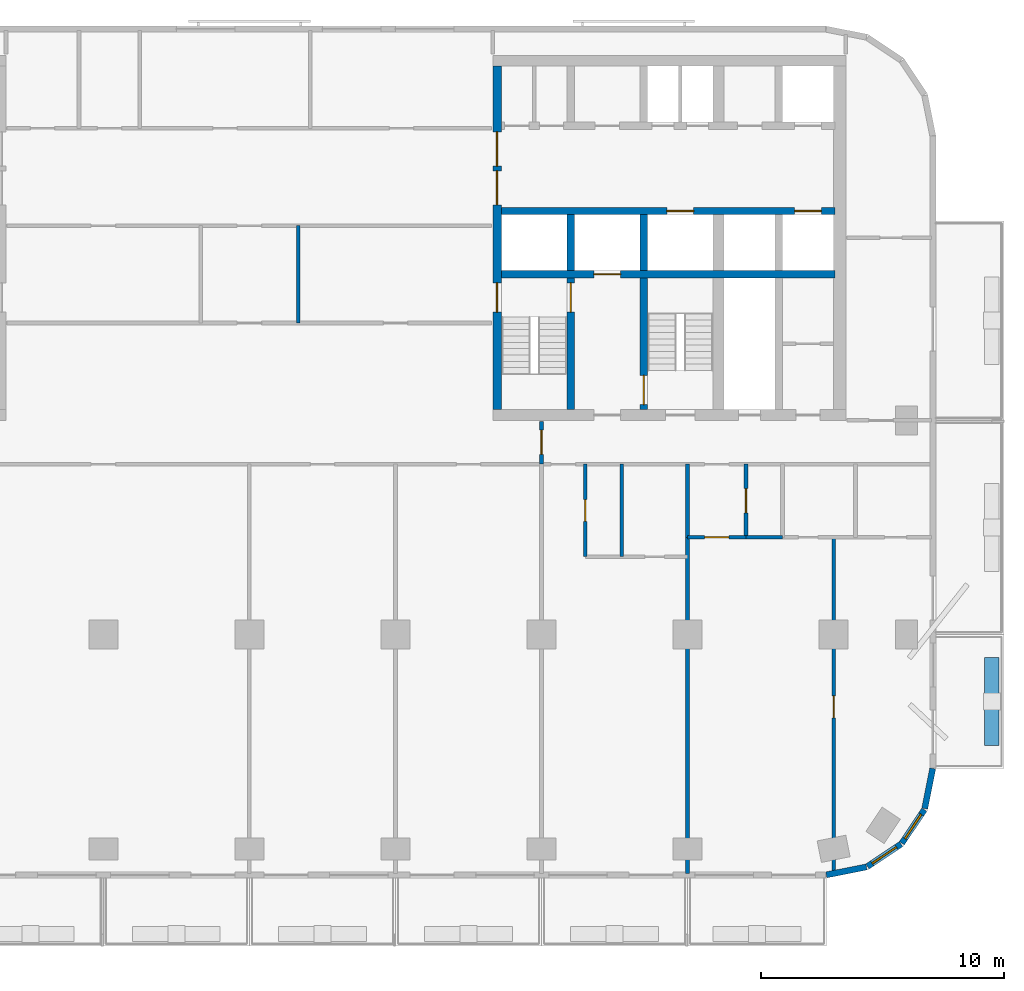
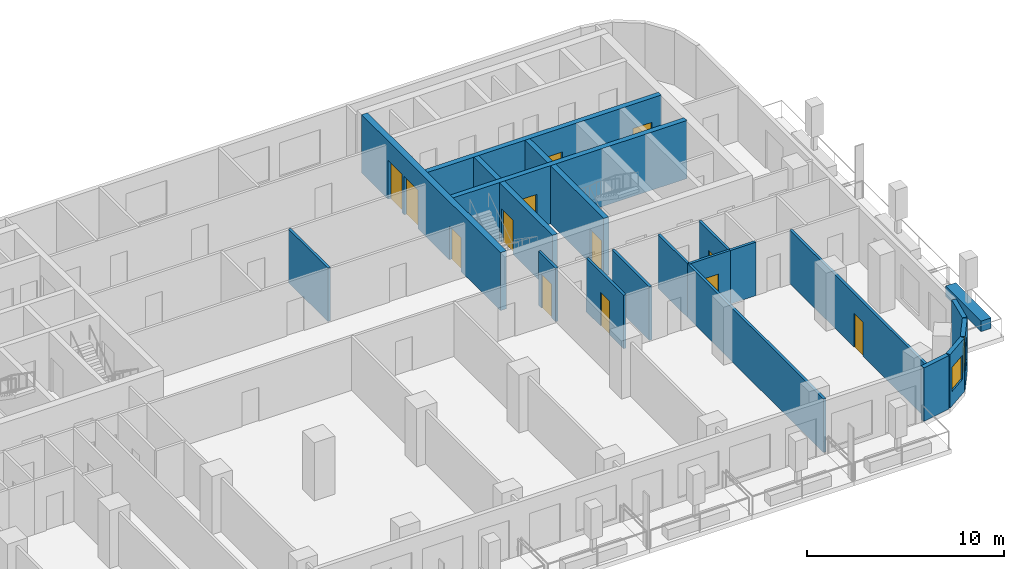
# One storey, part 5 of 12: 22 walls, 13 doors, 2 windows, 15 openings.
"""IFC4 building model written with IfcOpenShell, lengths in metres."""

from ifc_helpers import new_model, si_unit, direction, frame, frame_2d, origin, place, context, subcontext, project, spatial, rectangle, extrude, material, layer, layer_set, type_object, element, fill, save


model = new_model("IFC4")

# Units and contexts
model_context = context("Model", 3, precision=1e-05, world=origin(), true_north=direction((0.0, 1.0)))
body_context = subcontext(model_context, "Body", "Model", "MODEL_VIEW")
ifc_project = project(units=[si_unit("LENGTHUNIT", "METRE"), si_unit("AREAUNIT", "SQUARE_METRE"), si_unit("VOLUMEUNIT", "CUBIC_METRE"), si_unit("PLANEANGLEUNIT", "RADIAN"), si_unit("MASSUNIT", "GRAM", prefix="KILO")], contexts=[model_context])

# Site, building, storey
site_placement = place(None, origin())
site = spatial("IfcSite", under=ifc_project, at=site_placement, CompositionType="ELEMENT")
building_placement = place(site_placement, origin())
building = spatial("IfcBuilding", under=site, at=building_placement, Name="Torana Hotel and Residences", CompositionType="ELEMENT")
storey_placement = place(building_placement, frame((0.0, 0.0, 112.800048828125)))
storey = spatial("IfcBuildingStorey", under=building, at=storey_placement, Name="L28", CompositionType="ELEMENT", Elevation=112.800048828125)

# Wall, openings, doors
ifc_material_1 = material(Name="Concrete C70/85", Category="concrete")
ifc_layer_1 = layer(ifc_material_1, 0.300048828125)
ifc_layer_set_1 = layer_set([ifc_layer_1], Name="CORE WALL 300 C70/85")
wall_type_1 = type_object("IfcWallType", Name="CORE WALL 300 C70/85", PredefinedType="SHEAR", material=ifc_layer_set_1)
wall_1_placement = place(storey_placement, frame((10.35009765625, -6.39990234375, 0.0), z_axis=(0.0, 0.0, 1.0), x_axis=(1.0, 0.0, 0.0)))
wall_1 = element("IfcWall", 1, at=wall_1_placement, inside=storey, type_object=wall_type_1, Name="Core wall E row-S", PredefinedType="SHEAR", context=body_context, shape_type="SweptSolid", body=[
    extrude(rectangle(XDim=13.699951171875, YDim=0.300048828125, at=frame_2d((6.85009765625, 0.0))), origin(), (0.0, 0.0, 1.0), 3.599853515625),
])
opening_1_placement = place(wall_1_placement, frame((12.050048828125, 0.0, 0.0)))
opening_1 = element("IfcOpeningElement", 2, at=opening_1_placement, cuts=wall_1, Name="Opening LD", PredefinedType="OPENING", context=body_context, shape_type="SweptSolid", body=[
    extrude(rectangle(XDim=1.10009765625, YDim=2.10009765625, at=frame_2d((0.550048828125, 1.050048828125))), frame((0.0, 0.159912109375, 0.0), z_axis=(0.0, -1.0, 0.0), x_axis=(1.0, 0.0, 0.0)), (0.0, 0.0, 1.0), 0.320068359375),
])
opening_2_placement = place(wall_1_placement, frame((6.800048828125, 0.0, 0.0)))
opening_2 = element("IfcOpeningElement", 3, at=opening_2_placement, cuts=wall_1, Name="Opening LD", PredefinedType="OPENING", context=body_context, shape_type="SweptSolid", body=[
    extrude(rectangle(XDim=1.10009765625, YDim=2.10009765625, at=frame_2d((0.550048828125, 1.050048828125))), frame((0.0, 0.159912109375, 0.0), z_axis=(0.0, -1.0, 0.0), x_axis=(1.0, 0.0, 0.0)), (0.0, 0.0, 1.0), 0.320068359375),
])
ifc_material_2 = material(Name="Stainless steel 316", Category="steel")
door_type_1 = type_object("IfcDoorType", Name="LIFT LANDING DOOR LD 1100x2100", OperationType="DOUBLE_DOOR_SLIDING", PredefinedType="USERDEFINED", material=ifc_material_2)
door_1_placement = place(opening_1_placement, origin())
door_1 = element("IfcDoor", 4, at=door_1_placement, inside=storey, type_object=door_type_1, Name="Lift landing door M4 L28", ObjectType="LIFT LANDING DOOR", OperationType="DOUBLE_DOOR_SLIDING", OverallHeight=2.10009765625, OverallWidth=1.10009765625, PredefinedType="USERDEFINED", context=body_context, shape_type="SweptSolid", body=[
    extrude(rectangle(XDim=1.10009765625, YDim=2.10009765625, at=frame_2d((0.550048828125, 1.050048828125))), frame((0.0, 0.02490234375, 0.0), z_axis=(0.0, -1.0, 0.0), x_axis=(1.0, 0.0, 0.0)), (0.0, 0.0, 1.0), 0.050048828125),
])
fill(opening_1, door_1)
door_2_placement = place(opening_2_placement, origin())
door_2 = element("IfcDoor", 5, at=door_2_placement, inside=storey, type_object=door_type_1, Name="Lift landing door SV2 L28", ObjectType="LIFT LANDING DOOR", OperationType="DOUBLE_DOOR_SLIDING", OverallHeight=2.10009765625, OverallWidth=1.10009765625, PredefinedType="USERDEFINED", context=body_context, shape_type="SweptSolid", body=[
    extrude(rectangle(XDim=1.10009765625, YDim=2.10009765625, at=frame_2d((0.550048828125, 1.050048828125))), frame((0.0, 0.02490234375, 0.0), z_axis=(0.0, -1.0, 0.0), x_axis=(1.0, 0.0, 0.0)), (0.0, 0.0, 1.0), 0.050048828125),
])
fill(opening_2, door_2)

# Wall, opening, door
wall_2_placement = place(storey_placement, frame((10.35009765625, -9.0, 0.0), z_axis=(0.0, 0.0, 1.0), x_axis=(1.0, 0.0, 0.0)))
wall_2 = element("IfcWall", 6, at=wall_2_placement, inside=storey, type_object=wall_type_1, Name="Core wall E band", PredefinedType="SHEAR", context=body_context, shape_type="SweptSolid", body=[
    extrude(rectangle(XDim=13.699951171875, YDim=0.300048828125, at=frame_2d((6.85009765625, 0.0))), origin(), (0.0, 0.0, 1.0), 3.599853515625),
])
opening_3_placement = place(wall_2_placement, frame((3.800048828125, 0.0, 0.0)))
opening_3 = element("IfcOpeningElement", 7, at=opening_3_placement, cuts=wall_2, Name="Opening LD", PredefinedType="OPENING", context=body_context, shape_type="SweptSolid", body=[
    extrude(rectangle(XDim=1.10009765625, YDim=2.10009765625, at=frame_2d((0.550048828125, 1.050048828125))), frame((0.0, 0.159912109375, 0.0), z_axis=(0.0, -1.0, 0.0), x_axis=(1.0, 0.0, 0.0)), (0.0, 0.0, 1.0), 0.320068359375),
])
door_3_placement = place(opening_3_placement, origin())
door_3 = element("IfcDoor", 8, at=door_3_placement, inside=storey, type_object=door_type_1, Name="Lift landing door FF2 L28", ObjectType="LIFT LANDING DOOR", OperationType="DOUBLE_DOOR_SLIDING", OverallHeight=2.10009765625, OverallWidth=1.10009765625, PredefinedType="USERDEFINED", context=body_context, shape_type="SweptSolid", body=[
    extrude(rectangle(XDim=1.10009765625, YDim=2.10009765625, at=frame_2d((0.550048828125, 1.050048828125))), frame((0.0, 0.02490234375, 0.0), z_axis=(0.0, -1.0, 0.0), x_axis=(1.0, 0.0, 0.0)), (0.0, 0.0, 1.0), 0.050048828125),
])
fill(opening_3, door_3)

# Wall
wall_3_placement = place(storey_placement, frame((13.199951171875, -8.85009765625, 0.0), z_axis=(0.0, 0.0, 1.0), x_axis=(0.0, 1.0, 0.0)))
element("IfcWall", 9, at=wall_3_placement, inside=storey, type_object=wall_type_1, Name="Core wall E x3.05-S", PredefinedType="SHEAR", context=body_context, shape_type="SweptSolid", body=[
    extrude(rectangle(XDim=2.300048828125, YDim=0.300048828125, at=frame_2d((1.14990234375, 0.0))), origin(), (0.0, 0.0, 1.0), 3.599853515625),
])

# Wall, opening, door
wall_4_placement = place(storey_placement, frame((13.199951171875, -14.550048828125, 0.0), z_axis=(0.0, 0.0, 1.0), x_axis=(0.0, 1.0, 0.0)))
wall_4 = element("IfcWall", 10, at=wall_4_placement, inside=storey, type_object=wall_type_1, Name="Core wall E x3.05-band", PredefinedType="SHEAR", context=body_context, shape_type="SweptSolid", body=[
    extrude(rectangle(XDim=5.400146484375, YDim=0.300048828125, at=frame_2d((2.7001953125, 0.0))), origin(), (0.0, 0.0, 1.0), 3.599853515625),
])
opening_4_placement = place(wall_4_placement, frame((4.0, 0.0, 0.0)))
opening_4 = element("IfcOpeningElement", 11, at=opening_4_placement, cuts=wall_4, Name="Opening L28-29", PredefinedType="OPENING", context=body_context, shape_type="SweptSolid", body=[
    extrude(rectangle(XDim=1.199951171875, YDim=2.10009765625, at=frame_2d((0.60009765625, 1.050048828125))), frame((0.0, 0.159912109375, 0.0), z_axis=(0.0, -1.0, 0.0), x_axis=(1.0, 0.0, 0.0)), (0.0, 0.0, 1.0), 0.320068359375),
])
ifc_material_3 = material(Name="Steel S235", Category="steel")
door_type_2 = type_object("IfcDoorType", Name="STAIR FIRE DOOR D3 1200x2100", OperationType="SINGLE_SWING_LEFT", PredefinedType="DOOR", material=ifc_material_3)
door_4_placement = place(opening_4_placement, origin())
door_4 = element("IfcDoor", 12, at=door_4_placement, inside=storey, type_object=door_type_2, Name="Stair-A-lobby door L28", OperationType="SINGLE_SWING_LEFT", OverallHeight=2.10009765625, OverallWidth=1.199951171875, PredefinedType="DOOR", context=body_context, shape_type="SweptSolid", body=[
    extrude(rectangle(XDim=1.199951171875, YDim=2.10009765625, at=frame_2d((0.60009765625, 1.050048828125))), frame((0.0, 0.02490234375, 0.0), z_axis=(0.0, -1.0, 0.0), x_axis=(1.0, 0.0, 0.0)), (0.0, 0.0, 1.0), 0.050048828125),
])
fill(opening_4, door_4)

# Wall
wall_5_placement = place(storey_placement, frame((16.199951171875, -8.85009765625, 0.0), z_axis=(0.0, 0.0, 1.0), x_axis=(0.0, 1.0, 0.0)))
element("IfcWall", 13, at=wall_5_placement, inside=storey, type_object=wall_type_1, Name="Core wall E x6.05-S", PredefinedType="SHEAR", context=body_context, shape_type="SweptSolid", body=[
    extrude(rectangle(XDim=2.300048828125, YDim=0.300048828125, at=frame_2d((1.14990234375, 0.0))), origin(), (0.0, 0.0, 1.0), 3.599853515625),
])

# Wall, opening, door
wall_6_placement = place(storey_placement, frame((16.199951171875, -14.550048828125, 0.0), z_axis=(0.0, 0.0, 1.0), x_axis=(0.0, 1.0, 0.0)))
wall_6 = element("IfcWall", 14, at=wall_6_placement, inside=storey, type_object=wall_type_1, Name="Core wall E x6.05-band", PredefinedType="SHEAR", context=body_context, shape_type="SweptSolid", body=[
    extrude(rectangle(XDim=5.400146484375, YDim=0.300048828125, at=frame_2d((2.7001953125, 0.0))), origin(), (0.0, 0.0, 1.0), 3.599853515625),
])
opening_5_placement = place(wall_6_placement, frame((0.199951171875, 0.0, 0.0)))
opening_5 = element("IfcOpeningElement", 15, at=opening_5_placement, cuts=wall_6, Name="Opening L28-30", PredefinedType="OPENING", context=body_context, shape_type="SweptSolid", body=[
    extrude(rectangle(XDim=1.199951171875, YDim=2.10009765625, at=frame_2d((0.60009765625, 1.050048828125))), frame((0.0, 0.159912109375, 0.0), z_axis=(0.0, -1.0, 0.0), x_axis=(1.0, 0.0, 0.0)), (0.0, 0.0, 1.0), 0.320068359375),
])
door_5_placement = place(opening_5_placement, frame((0.60009765625, 0.0, 0.0), z_axis=(0.0, 0.0, 1.0), x_axis=(-1.0, 0.0, 0.0)))
door_5 = element("IfcDoor", 16, at=door_5_placement, inside=storey, type_object=door_type_2, Name="Stair-B-lobby door L28", OperationType="SINGLE_SWING_LEFT", OverallHeight=2.10009765625, OverallWidth=1.199951171875, PredefinedType="DOOR", context=body_context, shape_type="SweptSolid", body=[
    extrude(rectangle(XDim=1.199951171875, YDim=2.10009765625, at=frame_2d((0.0, 1.050048828125))), frame((0.0, -0.02490234375, 0.0), z_axis=(0.0, 1.0, 0.0), x_axis=(-1.0, 0.0, 0.0)), (0.0, 0.0, 1.0), 0.050048828125),
])
fill(opening_5, door_5)

# Wall, openings, doors
ifc_material_4 = material(Name="Concrete C70/85", Category="concrete")
ifc_layer_2 = layer(ifc_material_4, 0.35009765625)
ifc_layer_set_2 = layer_set([ifc_layer_2], Name="CORE WALL 350 C70/85")
wall_type_2 = type_object("IfcWallType", Name="CORE WALL 350 C70/85", PredefinedType="SHEAR", material=ifc_layer_set_2)
wall_7_placement = place(storey_placement, frame((10.175048828125, -14.550048828125, 0.0), z_axis=(0.0, 0.0, 1.0), x_axis=(0.0, 1.0, 0.0)))
wall_7 = element("IfcWall", 17, at=wall_7_placement, inside=storey, type_object=wall_type_2, Name="Core wall E arch", PredefinedType="SHEAR", context=body_context, shape_type="SweptSolid", body=[
    extrude(rectangle(XDim=14.10009765625, YDim=0.35009765625, at=frame_2d((7.050048828125, 0.0))), origin(), (0.0, 0.0, 1.0), 3.599853515625),
])
opening_6_placement = place(wall_7_placement, frame((8.39990234375, 0.0, 0.0)))
opening_6 = element("IfcOpeningElement", 18, at=opening_6_placement, cuts=wall_7, Name="Opening L28-16", PredefinedType="OPENING", context=body_context, shape_type="SweptSolid", body=[
    extrude(rectangle(XDim=1.39990234375, YDim=2.39990234375, at=frame_2d((0.699951171875, 1.199951171875))), frame((0.0, 0.18505859375, 0.0), z_axis=(0.0, -1.0, 0.0), x_axis=(1.0, 0.0, 0.0)), (0.0, 0.0, 1.0), 0.3701171875),
])
opening_7_placement = place(wall_7_placement, frame((10.0, 0.0, 0.0)))
opening_7 = element("IfcOpeningElement", 19, at=opening_7_placement, cuts=wall_7, Name="Opening L28-17", PredefinedType="OPENING", context=body_context, shape_type="SweptSolid", body=[
    extrude(rectangle(XDim=1.39990234375, YDim=2.39990234375, at=frame_2d((0.699951171875, 1.199951171875))), frame((0.0, 0.18505859375, 0.0), z_axis=(0.0, -1.0, 0.0), x_axis=(1.0, 0.0, 0.0)), (0.0, 0.0, 1.0), 0.3701171875),
])
opening_8_placement = place(wall_7_placement, frame((4.0, 0.0, 0.0)))
opening_8 = element("IfcOpeningElement", 20, at=opening_8_placement, cuts=wall_7, Name="Opening L28-18", PredefinedType="OPENING", context=body_context, shape_type="SweptSolid", body=[
    extrude(rectangle(XDim=1.199951171875, YDim=2.10009765625, at=frame_2d((0.60009765625, 1.050048828125))), frame((0.0, 0.18505859375, 0.0), z_axis=(0.0, -1.0, 0.0), x_axis=(1.0, 0.0, 0.0)), (0.0, 0.0, 1.0), 0.3701171875),
])
ifc_material_5 = material(Name="Steel S235", Category="steel")
door_type_3 = type_object("IfcDoorType", Name="LOBBY FIRE DOOR D4 1400x2400", OperationType="DOUBLE_DOOR_SINGLE_SWING", PredefinedType="DOOR", material=ifc_material_5)
door_6_placement = place(opening_6_placement, origin())
door_6 = element("IfcDoor", 21, at=door_6_placement, inside=storey, type_object=door_type_3, Name="Lobby-1 door L28", OperationType="DOUBLE_DOOR_SINGLE_SWING", OverallHeight=2.39990234375, OverallWidth=1.39990234375, PredefinedType="DOOR", context=body_context, shape_type="SweptSolid", body=[
    extrude(rectangle(XDim=1.39990234375, YDim=2.39990234375, at=frame_2d((0.699951171875, 1.199951171875))), frame((0.0, 0.02490234375, 0.0), z_axis=(0.0, -1.0, 0.0), x_axis=(1.0, 0.0, 0.0)), (0.0, 0.0, 1.0), 0.050048828125),
])
fill(opening_6, door_6)
door_7_placement = place(opening_7_placement, origin())
door_7 = element("IfcDoor", 22, at=door_7_placement, inside=storey, type_object=door_type_3, Name="Lobby-2 door L28", OperationType="DOUBLE_DOOR_SINGLE_SWING", OverallHeight=2.39990234375, OverallWidth=1.39990234375, PredefinedType="DOOR", context=body_context, shape_type="SweptSolid", body=[
    extrude(rectangle(XDim=1.39990234375, YDim=2.39990234375, at=frame_2d((0.699951171875, 1.199951171875))), frame((0.0, 0.02490234375, 0.0), z_axis=(0.0, -1.0, 0.0), x_axis=(1.0, 0.0, 0.0)), (0.0, 0.0, 1.0), 0.050048828125),
])
fill(opening_7, door_7)
door_8_placement = place(opening_8_placement, frame((0.60009765625, 0.0, 0.0), z_axis=(0.0, 0.0, 1.0), x_axis=(-1.0, 0.0, 0.0)))
door_8 = element("IfcDoor", 23, at=door_8_placement, inside=storey, type_object=door_type_2, Name="Stair-A door L28", OperationType="SINGLE_SWING_RIGHT", OverallHeight=2.10009765625, OverallWidth=1.199951171875, PredefinedType="DOOR", context=body_context, shape_type="SweptSolid", body=[
    extrude(rectangle(XDim=1.199951171875, YDim=2.10009765625, at=frame_2d((0.0, 1.050048828125))), frame((0.0, -0.02490234375, 0.0), z_axis=(0.0, 1.0, 0.0), x_axis=(-1.0, 0.0, 0.0)), (0.0, 0.0, 1.0), 0.050048828125),
])
fill(opening_8, door_8)

# Wall
ifc_material_6 = material(Name="Black aluminium composite panel", Category="aluminium")
ifc_layer_3 = layer(ifc_material_6, 0.00390625, Name="Cladding", Category="cladding")
ifc_material_7 = material(Name="Ventilated air cavity")
ifc_layer_4 = layer(ifc_material_7, 0.0400390625, Name="Ventilated cavity", Category="cavity")
ifc_material_8 = material(Name="Mineral wool insulation")
ifc_layer_5 = layer(ifc_material_8, 0.090087890625, Name="Insulation", Category="insulation")
ifc_material_9 = material(Name="Steel S280GD", Category="steel")
ifc_layer_6 = layer(ifc_material_9, 0.092041015625, Name="Steel stud frame", Category="structure")
ifc_material_10 = material(Name="Fire rated plasterboard")
ifc_layer_7 = layer(ifc_material_10, 0.011962890625, Name="Inner board", Category="finish")
ifc_layer_8 = layer(ifc_material_10, 0.011962890625, Name="Second board", Category="finish")
ifc_layer_set_3 = layer_set([ifc_layer_3, ifc_layer_4, ifc_layer_5, ifc_layer_6, ifc_layer_7, ifc_layer_8], Name="EW1 EXTERNAL WALL BLACK METAL CLAD 250")
wall_type_3 = type_object("IfcWallType", Name="EW1 EXTERNAL WALL BLACK METAL CLAD 250", PredefinedType="SOLIDWALL", material=ifc_layer_set_3)
wall_8_placement = place(storey_placement, frame((23.69970703125, -33.672607421875, 0.0), z_axis=(0.0, 0.0, 1.0), x_axis=(0.980775640221, 0.19513878023, 0.0)))
element("IfcWall", 24, at=wall_8_placement, inside=storey, type_object=wall_type_3, Name="External wall L28 e0.15", PredefinedType="SOLIDWALL", context=body_context, shape_type="SweptSolid", body=[
    extrude(rectangle(XDim=1.681396484375, YDim=0.25, at=frame_2d((0.8408203125, 0.0))), origin(), (0.0, 0.0, 1.0), 3.320068359375),
])

# Wall, opening, window
wall_9_placement = place(storey_placement, frame((25.39404296875, -33.325927734375, 0.0), z_axis=(0.0, 0.0, 1.0), x_axis=(0.831482937015, 0.55555029066, 0.0)))
wall_9 = element("IfcWall", 25, at=wall_9_placement, inside=storey, type_object=wall_type_3, Name="External wall L28 e0.16", PredefinedType="SOLIDWALL", context=body_context, shape_type="SweptSolid", body=[
    extrude(rectangle(XDim=1.65625, YDim=0.25, at=frame_2d((0.828125, 0.0))), origin(), (0.0, 0.0, 1.0), 3.320068359375),
])
opening_9_placement = place(wall_9_placement, frame((0.228271484375, 0.0, 0.89990234375)))
opening_9 = element("IfcOpeningElement", 26, at=opening_9_placement, cuts=wall_9, Name="Opening W5", PredefinedType="OPENING", context=body_context, shape_type="SweptSolid", body=[
    extrude(rectangle(XDim=1.199951171875, YDim=1.5, at=frame_2d((0.60009765625, 0.75))), frame((0.0, 0.135009765625, 0.0), z_axis=(0.0, -1.0, 0.0), x_axis=(1.0, 0.0, 0.0)), (0.0, 0.0, 1.0), 0.27001953125),
])
ifc_material_11 = material(Name="Dark glass in black aluminium frame", Category="aluminium")
window_type = type_object("IfcWindowType", Name="W5 CORNER FACET WINDOW 1200x1500", PartitioningType="SINGLE_PANEL", PredefinedType="WINDOW", material=ifc_material_11)
window_1_placement = place(opening_9_placement, origin())
window_1 = element("IfcWindow", 27, at=window_1_placement, inside=storey, type_object=window_type, Name="Window L28 e0.16", OverallHeight=1.5, OverallWidth=1.199951171875, PartitioningType="SINGLE_PANEL", PredefinedType="WINDOW", context=body_context, shape_type="SweptSolid", body=[
    extrude(rectangle(XDim=1.199951171875, YDim=1.5, at=frame_2d((0.60009765625, 0.75))), frame((0.0, 0.030029296875, 0.0), z_axis=(0.0, -1.0, 0.0), x_axis=(1.0, 0.0, 0.0)), (0.0, 0.0, 1.0), 0.06005859375),
])
fill(opening_9, window_1)

wall_10_placement = place(storey_placement, frame((26.8056640625, -32.37109375, 0.0), z_axis=(0.0, 0.0, 1.0), x_axis=(0.55555029066, 0.831482937015, 0.0)))
wall_10 = element("IfcWall", 28, at=wall_10_placement, inside=storey, type_object=wall_type_3, Name="External wall L28 e0.17", PredefinedType="SOLIDWALL", context=body_context, shape_type="SweptSolid", body=[
    extrude(rectangle(XDim=1.65625, YDim=0.25, at=frame_2d((0.828125, 0.0))), origin(), (0.0, 0.0, 1.0), 3.320068359375),
])
opening_10_placement = place(wall_10_placement, frame((0.228271484375, 0.0, 0.89990234375)))
opening_10 = element("IfcOpeningElement", 29, at=opening_10_placement, cuts=wall_10, Name="Opening W5", PredefinedType="OPENING", context=body_context, shape_type="SweptSolid", body=[
    extrude(rectangle(XDim=1.199951171875, YDim=1.5, at=frame_2d((0.60009765625, 0.75))), frame((0.0, 0.135009765625, 0.0), z_axis=(0.0, -1.0, 0.0), x_axis=(1.0, 0.0, 0.0)), (0.0, 0.0, 1.0), 0.27001953125),
])
window_2_placement = place(opening_10_placement, origin())
window_2 = element("IfcWindow", 30, at=window_2_placement, inside=storey, type_object=window_type, Name="Window L28 e0.17", OverallHeight=1.5, OverallWidth=1.199951171875, PartitioningType="SINGLE_PANEL", PredefinedType="WINDOW", context=body_context, shape_type="SweptSolid", body=[
    extrude(rectangle(XDim=1.199951171875, YDim=1.5, at=frame_2d((0.60009765625, 0.75))), frame((0.0, 0.030029296875, 0.0), z_axis=(0.0, -1.0, 0.0), x_axis=(1.0, 0.0, 0.0)), (0.0, 0.0, 1.0), 0.06005859375),
])
fill(opening_10, window_2)

# Wall
wall_11_placement = place(storey_placement, frame((27.74462890625, -30.948974609375, 0.0), z_axis=(0.0, 0.0, 1.0), x_axis=(0.194999110559, 0.980803419081, 0.0)))
element("IfcWall", 31, at=wall_11_placement, inside=storey, type_object=wall_type_3, Name="External wall L28 e0.18", PredefinedType="SOLIDWALL", context=body_context, shape_type="SweptSolid", body=[
    extrude(rectangle(XDim=1.681396484375, YDim=0.25, at=frame_2d((0.8408203125, 0.0))), origin(), (0.0, 0.0, 1.0), 3.320068359375),
])

# Wall, opening, door
ifc_material_12 = material(Name="Gypsum plaster")
ifc_layer_9 = layer(ifc_material_12, 0.014892578125, Name="Plaster", Category="finish")
ifc_material_13 = material(Name="Concrete blockwork", Category="masonry")
ifc_layer_10 = layer(ifc_material_13, 0.1201171875, Name="Blockwork", Category="structure")
ifc_layer_11 = layer(ifc_material_12, 0.014892578125, Name="Plaster", Category="finish")
ifc_layer_set_4 = layer_set([ifc_layer_9, ifc_layer_10, ifc_layer_11], Name="FIRE PARTITION 150 BLOCKWORK")
wall_type_4 = type_object("IfcWallType", Name="FIRE PARTITION 150 BLOCKWORK", PredefinedType="PARTITIONING", material=ifc_layer_set_4)
wall_12_placement = place(storey_placement, frame((20.39990234375, -19.800048828125, 0.0), z_axis=(0.0, 0.0, 1.0), x_axis=(0.0, 1.0, 0.0)))
wall_12 = element("IfcWall", 32, at=wall_12_placement, inside=storey, type_object=wall_type_4, Name="Partition L28", PredefinedType="PARTITIONING", context=body_context, shape_type="SweptSolid", body=[
    extrude(rectangle(XDim=3.0, YDim=0.14990234375, at=frame_2d((1.5, 0.0))), origin(), (0.0, 0.0, 1.0), 3.320068359375),
])
opening_11_placement = place(wall_12_placement, frame((1.0, 0.0, 0.0)))
opening_11 = element("IfcOpeningElement", 33, at=opening_11_placement, cuts=wall_12, Name="Opening L28-62", PredefinedType="OPENING", context=body_context, shape_type="SweptSolid", body=[
    extrude(rectangle(XDim=1.0, YDim=2.10009765625, at=frame_2d((0.5, 1.050048828125))), frame((0.0, 0.0849609375, 0.0), z_axis=(0.0, -1.0, 0.0), x_axis=(1.0, 0.0, 0.0)), (0.0, 0.0, 1.0), 0.169921875),
])
ifc_material_14 = material(Name="Steel S235", Category="steel")
door_type_4 = type_object("IfcDoorType", Name="ENTRY FIRE DOOR D6 1000x2100", OperationType="SINGLE_SWING_LEFT", PredefinedType="DOOR", material=ifc_material_14)
door_9_placement = place(opening_11_placement, frame((0.5, 0.0, 0.0), z_axis=(0.0, 0.0, 1.0), x_axis=(-1.0, 0.0, 0.0)))
door_9 = element("IfcDoor", 34, at=door_9_placement, inside=storey, type_object=door_type_4, Name="Door L28", OperationType="SINGLE_SWING_LEFT", OverallHeight=2.10009765625, OverallWidth=1.0, PredefinedType="DOOR", context=body_context, shape_type="SweptSolid", body=[
    extrude(rectangle(XDim=1.0, YDim=2.10009765625, at=frame_2d((0.0, 1.050048828125))), frame((0.0, -0.02490234375, 0.0), z_axis=(0.0, 1.0, 0.0), x_axis=(-1.0, 0.0, 0.0)), (0.0, 0.0, 1.0), 0.050048828125),
])
fill(opening_11, door_9)

# Wall
wall_13_placement = place(storey_placement, frame((18.0, -19.800048828125, 0.0), z_axis=(0.0, 0.0, 1.0), x_axis=(0.0, 1.0, 0.0)))
element("IfcWall", 35, at=wall_13_placement, inside=storey, type_object=wall_type_4, Name="Partition L28", PredefinedType="PARTITIONING", context=body_context, shape_type="SweptSolid", body=[
    extrude(rectangle(XDim=3.0, YDim=0.14990234375, at=frame_2d((1.5, 0.0))), origin(), (0.0, 0.0, 1.0), 3.320068359375),
])

# Wall, opening, door
wall_14_placement = place(storey_placement, frame((12.0, -16.800048828125, 0.0), z_axis=(0.0, 0.0, 1.0), x_axis=(0.0, 1.0, 0.0)))
wall_14 = element("IfcWall", 36, at=wall_14_placement, inside=storey, type_object=wall_type_4, Name="Partition L28", PredefinedType="PARTITIONING", context=body_context, shape_type="SweptSolid", body=[
    extrude(rectangle(XDim=1.75, YDim=0.14990234375, at=frame_2d((0.875, 0.0))), origin(), (0.0, 0.0, 1.0), 3.320068359375),
])
opening_12_placement = place(wall_14_placement, frame((0.39990234375, 0.0, 0.0)))
opening_12 = element("IfcOpeningElement", 37, at=opening_12_placement, cuts=wall_14, Name="Opening L28-38", PredefinedType="OPENING", context=body_context, shape_type="SweptSolid", body=[
    extrude(rectangle(XDim=1.0, YDim=2.10009765625, at=frame_2d((0.5, 1.050048828125))), frame((0.0, 0.0849609375, 0.0), z_axis=(0.0, -1.0, 0.0), x_axis=(1.0, 0.0, 0.0)), (0.0, 0.0, 1.0), 0.169921875),
])
door_10_placement = place(opening_12_placement, origin())
door_10 = element("IfcDoor", 38, at=door_10_placement, inside=storey, type_object=door_type_4, Name="Door L28", OperationType="SINGLE_SWING_RIGHT", OverallHeight=2.10009765625, OverallWidth=1.0, PredefinedType="DOOR", context=body_context, shape_type="SweptSolid", body=[
    extrude(rectangle(XDim=1.0, YDim=2.10009765625, at=frame_2d((0.5, 1.050048828125))), frame((0.0, 0.02490234375, 0.0), z_axis=(0.0, -1.0, 0.0), x_axis=(1.0, 0.0, 0.0)), (0.0, 0.0, 1.0), 0.050048828125),
])
fill(opening_12, door_10)

# Wall
wall_15_placement = place(storey_placement, frame((2.0, -11.0, 0.0), z_axis=(0.0, 0.0, 1.0), x_axis=(0.0, 1.0, 0.0)))
element("IfcWall", 39, at=wall_15_placement, inside=storey, type_object=wall_type_4, Name="Partition L28", PredefinedType="PARTITIONING", context=body_context, shape_type="SweptSolid", body=[
    extrude(rectangle(XDim=4.0, YDim=0.14990234375, at=frame_2d((2.0, 0.0))), origin(), (0.0, 0.0, 1.0), 3.320068359375),
])

# Wall, opening, door
wall_16_placement = place(storey_placement, frame((18.0, -19.800048828125, 0.0), z_axis=(0.0, 0.0, 1.0), x_axis=(1.0, 0.0, 0.0)))
wall_16 = element("IfcWall", 40, at=wall_16_placement, inside=storey, type_object=wall_type_4, Name="Partition L28", PredefinedType="PARTITIONING", context=body_context, shape_type="SweptSolid", body=[
    extrude(rectangle(XDim=2.39990234375, YDim=0.14990234375, at=frame_2d((1.199951171875, 0.0))), origin(), (0.0, 0.0, 1.0), 3.320068359375),
])
opening_13_placement = place(wall_16_placement, frame((0.699951171875, 0.0, 0.0)))
opening_13 = element("IfcOpeningElement", 41, at=opening_13_placement, cuts=wall_16, Name="Opening L28-63", PredefinedType="OPENING", context=body_context, shape_type="SweptSolid", body=[
    extrude(rectangle(XDim=1.0, YDim=2.10009765625, at=frame_2d((0.5, 1.050048828125))), frame((0.0, 0.0849609375, 0.0), z_axis=(0.0, -1.0, 0.0), x_axis=(1.0, 0.0, 0.0)), (0.0, 0.0, 1.0), 0.169921875),
])
door_11_placement = place(opening_13_placement, frame((0.5, 0.0, 0.0), z_axis=(0.0, 0.0, 1.0), x_axis=(-1.0, 0.0, 0.0)))
door_11 = element("IfcDoor", 42, at=door_11_placement, inside=storey, type_object=door_type_4, Name="Door L28", OperationType="SINGLE_SWING_LEFT", OverallHeight=2.10009765625, OverallWidth=1.0, PredefinedType="DOOR", context=body_context, shape_type="SweptSolid", body=[
    extrude(rectangle(XDim=1.0, YDim=2.10009765625, at=frame_2d((0.0, 1.050048828125))), frame((0.0, -0.02490234375, 0.0), z_axis=(0.0, 1.0, 0.0), x_axis=(-1.0, 0.0, 0.0)), (0.0, 0.0, 1.0), 0.050048828125),
])
fill(opening_13, door_11)

ifc_material_15 = material(Name="Gypsum plasterboard")
ifc_layer_12 = layer(ifc_material_15, 0.012451171875, Name="Plasterboard", Category="finish")
ifc_layer_13 = layer(ifc_material_15, 0.012451171875, Name="Plasterboard", Category="finish")
ifc_layer_14 = layer(ifc_material_9, 0.10009765625, Name="Steel studs with mineral wool", Category="insulation")
ifc_layer_15 = layer(ifc_material_15, 0.012451171875, Name="Plasterboard", Category="finish")
ifc_layer_16 = layer(ifc_material_15, 0.012451171875, Name="Plasterboard", Category="finish")
ifc_layer_set_5 = layer_set([ifc_layer_12, ifc_layer_13, ifc_layer_14, ifc_layer_15, ifc_layer_16], Name="PARTITION 150 PLASTERBOARD")
wall_type_5 = type_object("IfcWallType", Name="PARTITION 150 PLASTERBOARD", PredefinedType="PARTITIONING", material=ifc_layer_set_5)
wall_17_placement = place(storey_placement, frame((24.0, -33.556884765625, 0.0), z_axis=(0.0, 0.0, 1.0), x_axis=(0.0, 1.0, 0.0)))
wall_17 = element("IfcWall", 43, at=wall_17_placement, inside=storey, type_object=wall_type_5, Name="Partition L28", PredefinedType="PARTITIONING", context=body_context, shape_type="SweptSolid", body=[
    extrude(rectangle(XDim=13.7568359375, YDim=0.14990234375, at=frame_2d((6.87841796875, 0.0))), origin(), (0.0, 0.0, 1.0), 3.320068359375),
])
opening_14_placement = place(wall_17_placement, frame((6.3369140625, 0.0, 0.0)))
opening_14 = element("IfcOpeningElement", 44, at=opening_14_placement, cuts=wall_17, Name="Opening L28-66", PredefinedType="OPENING", context=body_context, shape_type="SweptSolid", body=[
    extrude(rectangle(XDim=0.89990234375, YDim=2.10009765625, at=frame_2d((0.449951171875, 1.050048828125))), frame((0.0, 0.0849609375, 0.0), z_axis=(0.0, -1.0, 0.0), x_axis=(1.0, 0.0, 0.0)), (0.0, 0.0, 1.0), 0.169921875),
])
ifc_material_16 = material(Name="Timber door, oiled ash", Category="wood")
door_type_5 = type_object("IfcDoorType", Name="ROOM DOOR D7 900x2100", OperationType="SINGLE_SWING_LEFT", PredefinedType="DOOR", material=ifc_material_16)
door_12_placement = place(opening_14_placement, origin())
door_12 = element("IfcDoor", 45, at=door_12_placement, inside=storey, type_object=door_type_5, Name="Door L28", OperationType="SINGLE_SWING_RIGHT", OverallHeight=2.10009765625, OverallWidth=0.89990234375, PredefinedType="DOOR", context=body_context, shape_type="SweptSolid", body=[
    extrude(rectangle(XDim=0.89990234375, YDim=2.10009765625, at=frame_2d((0.449951171875, 1.050048828125))), frame((0.0, 0.02490234375, 0.0), z_axis=(0.0, -1.0, 0.0), x_axis=(1.0, 0.0, 0.0)), (0.0, 0.0, 1.0), 0.050048828125),
])
fill(opening_14, door_12)

# Walls
wall_18_placement = place(storey_placement, frame((18.0, -33.6201171875, 0.0), z_axis=(0.0, 0.0, 1.0), x_axis=(0.0, 1.0, 0.0)))
element("IfcWall", 46, at=wall_18_placement, inside=storey, type_object=wall_type_5, Name="Partition L28", PredefinedType="PARTITIONING", context=body_context, shape_type="SweptSolid", body=[
    extrude(rectangle(XDim=13.820068359375, YDim=0.14990234375, at=frame_2d((6.91015625, 0.0))), origin(), (0.0, 0.0, 1.0), 3.320068359375),
])
wall_19_placement = place(storey_placement, frame((15.300048828125, -20.60009765625, 0.0), z_axis=(0.0, 0.0, 1.0), x_axis=(0.0, 1.0, 0.0)))
element("IfcWall", 47, at=wall_19_placement, inside=storey, type_object=wall_type_5, Name="Partition L28", PredefinedType="PARTITIONING", context=body_context, shape_type="SweptSolid", body=[
    extrude(rectangle(XDim=3.800048828125, YDim=0.14990234375, at=frame_2d((1.89990234375, 0.0))), origin(), (0.0, 0.0, 1.0), 3.320068359375),
])

# Wall, opening, door
wall_20_placement = place(storey_placement, frame((13.800048828125, -20.60009765625, 0.0), z_axis=(0.0, 0.0, 1.0), x_axis=(0.0, 1.0, 0.0)))
wall_20 = element("IfcWall", 48, at=wall_20_placement, inside=storey, type_object=wall_type_5, Name="Partition L28", PredefinedType="PARTITIONING", context=body_context, shape_type="SweptSolid", body=[
    extrude(rectangle(XDim=3.800048828125, YDim=0.14990234375, at=frame_2d((1.89990234375, 0.0))), origin(), (0.0, 0.0, 1.0), 3.320068359375),
])
opening_15_placement = place(wall_20_placement, frame((1.449951171875, 0.0, 0.0)))
opening_15 = element("IfcOpeningElement", 49, at=opening_15_placement, cuts=wall_20, Name="Opening L28-55", PredefinedType="OPENING", context=body_context, shape_type="SweptSolid", body=[
    extrude(rectangle(XDim=0.89990234375, YDim=2.10009765625, at=frame_2d((0.449951171875, 1.050048828125))), frame((0.0, 0.0849609375, 0.0), z_axis=(0.0, -1.0, 0.0), x_axis=(1.0, 0.0, 0.0)), (0.0, 0.0, 1.0), 0.169921875),
])
door_13_placement = place(opening_15_placement, origin())
door_13 = element("IfcDoor", 50, at=door_13_placement, inside=storey, type_object=door_type_5, Name="Door L28", OperationType="SINGLE_SWING_LEFT", OverallHeight=2.10009765625, OverallWidth=0.89990234375, PredefinedType="DOOR", context=body_context, shape_type="SweptSolid", body=[
    extrude(rectangle(XDim=0.89990234375, YDim=2.10009765625, at=frame_2d((0.449951171875, 1.050048828125))), frame((0.0, 0.02490234375, 0.0), z_axis=(0.0, -1.0, 0.0), x_axis=(1.0, 0.0, 0.0)), (0.0, 0.0, 1.0), 0.050048828125),
])
fill(opening_15, door_13)

# Walls
ifc_material_17 = material(Name="Concrete C40/50 precast", Category="concrete")
ifc_layer_17 = layer(ifc_material_17, 0.10009765625, Name="Planter shell", Category="structure")
ifc_material_18 = material(Name="Root resistant membrane")
ifc_layer_18 = layer(ifc_material_18, 0.00390625, Name="Waterproofing membrane", Category="membrane")
ifc_material_19 = material(Name="Drainage board with filter fleece")
ifc_layer_19 = layer(ifc_material_19, 0.02001953125, Name="Drainage board", Category="drainage")
ifc_material_20 = material(Name="Growing medium")
ifc_layer_20 = layer(ifc_material_20, 0.47607421875, Name="Planting substrate", Category="soil")
ifc_layer_set_6 = layer_set([ifc_layer_17, ifc_layer_18, ifc_layer_19, ifc_layer_20], Name="PL1 BALCONY PLANTER 600")
wall_type_6 = type_object("IfcWallType", Name="PL1 BALCONY PLANTER 600", PredefinedType="USERDEFINED", material=ifc_layer_set_6)
wall_21_placement = place(storey_placement, frame((30.5, -24.75, 0.0), z_axis=(0.0, 0.0, 1.0), x_axis=(0.0, -1.0, 0.0)))
element("IfcWall", 51, at=wall_21_placement, inside=storey, type_object=wall_type_6, Name="Planter 12", ObjectType="PLANTER", PredefinedType="USERDEFINED", context=body_context, shape_type="SweptSolid", body=[
    extrude(rectangle(XDim=3.60009765625, YDim=0.60009765625, at=frame_2d((1.800048828125, 0.0))), origin(), (0.0, 0.0, 1.0), 0.64990234375),
])
ifc_material_21 = material(Name="Ceramic tile on adhesive")
ifc_layer_21 = layer(ifc_material_21, 0.010009765625, Name="Wall tile", Category="finish")
ifc_material_22 = material(Name="Cement render")
ifc_layer_22 = layer(ifc_material_22, 0.010009765625, Name="Render", Category="finish")
ifc_layer_23 = layer(ifc_material_13, 0.110107421875, Name="Blockwork", Category="structure")
ifc_layer_24 = layer(ifc_material_22, 0.010009765625, Name="Render", Category="finish")
ifc_layer_25 = layer(ifc_material_21, 0.010009765625, Name="Wall tile", Category="finish")
ifc_layer_set_7 = layer_set([ifc_layer_21, ifc_layer_22, ifc_layer_23, ifc_layer_24, ifc_layer_25], Name="WC PARTITION 150")
wall_type_7 = type_object("IfcWallType", Name="WC PARTITION 150", PredefinedType="PLUMBINGWALL", material=ifc_layer_set_7)
wall_22_placement = place(storey_placement, frame((20.39990234375, -19.800048828125, 0.0), z_axis=(0.0, 0.0, 1.0), x_axis=(1.0, 0.0, 0.0)))
element("IfcWall", 52, at=wall_22_placement, inside=storey, type_object=wall_type_7, Name="Partition L28", PredefinedType="PLUMBINGWALL", context=body_context, shape_type="SweptSolid", body=[
    extrude(rectangle(XDim=1.5, YDim=0.14990234375, at=frame_2d((0.75, 0.0))), origin(), (0.0, 0.0, 1.0), 3.320068359375),
])

save(model, "model.ifc")
